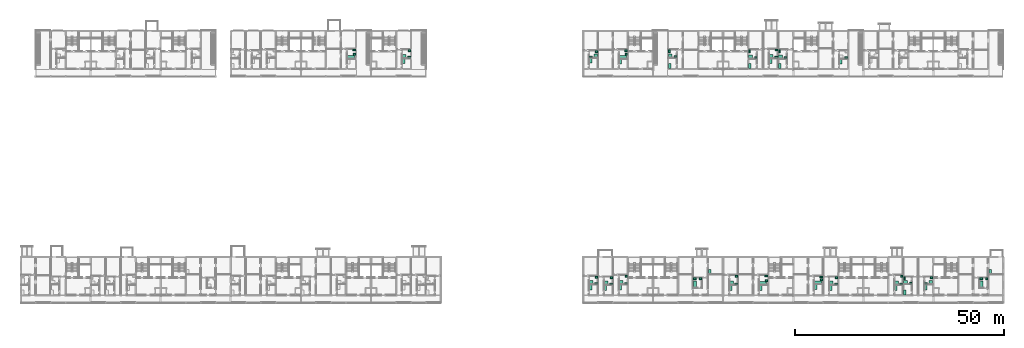
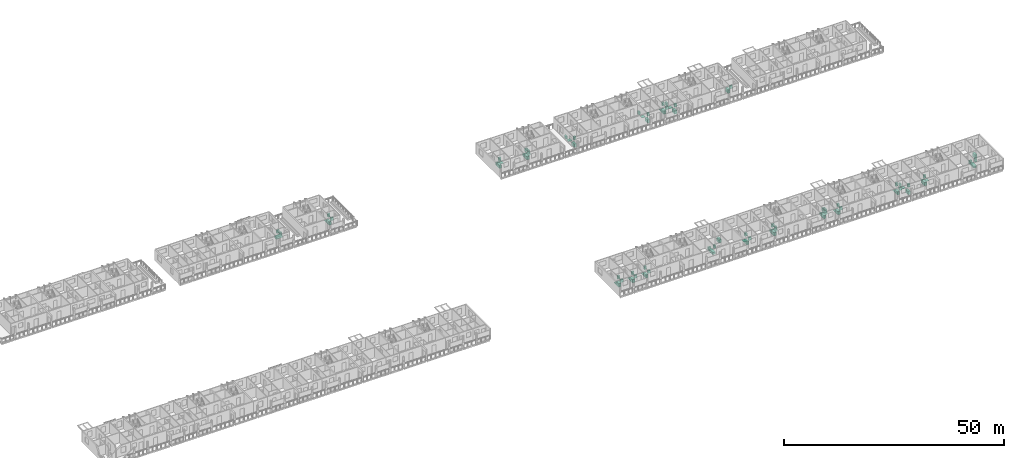
# One storey, part 93 of 94: 81 sanitary terminals.
"""IFC4 building model written with IfcOpenShell, lengths in metres."""

from ifc_helpers import new_model, si_unit, direction, frame, origin, origin_2d, place, context, subcontext, project, spatial, rectangle, extrude, element, save


model = new_model("IFC4")

# Units and contexts
model_context = context("Model", 3, precision=1e-05, world=origin(), true_north=direction((0.0, 1.0)))
body_context = subcontext(model_context, "Body", "Model", "MODEL_VIEW")
ifc_project = project(units=[si_unit("LENGTHUNIT", "METRE"), si_unit("AREAUNIT", "SQUARE_METRE"), si_unit("VOLUMEUNIT", "CUBIC_METRE"), si_unit("PLANEANGLEUNIT", "RADIAN"), si_unit("MASSUNIT", "GRAM", prefix="KILO")], contexts=[model_context])

# Site, building, storey
site_placement = place(None, origin())
site = spatial("IfcSite", under=ifc_project, at=site_placement, CompositionType="ELEMENT")
building_placement = place(site_placement, origin())
building = spatial("IfcBuilding", under=site, at=building_placement, Name="Ridgestep Commons", CompositionType="ELEMENT")
storey_placement = place(building_placement, frame((0.0, 0.0, 21.0)))
storey = spatial("IfcBuildingStorey", under=building, at=storey_placement, Name="L07", CompositionType="ELEMENT", Elevation=21.0)

# Sanitary terminals
sanitary_terminal_1_placement = place(storey_placement, frame((91.159912109375, 70.784912109375, 0.0), z_axis=(0.0, 0.0, 1.0), x_axis=(1.0, 0.0, 0.0)))
element("IfcSanitaryTerminal", 1, at=sanitary_terminal_1_placement, inside=storey, Name="Bath B5-07a", PredefinedType="BATH", context=body_context, shape_type="SweptSolid", body=[
    extrude(rectangle(XDim=1.699951171875, YDim=0.75, at=origin_2d()), origin(), (0.0, 0.0, 1.0), 0.550048828125),
])
sanitary_terminal_2_placement = place(storey_placement, frame((91.949951171875, 72.5, 0.0), z_axis=(0.0, 0.0, 1.0), x_axis=(1.0, 0.0, 0.0)))
element("IfcSanitaryTerminal", 2, at=sanitary_terminal_2_placement, inside=storey, Name="WC B5-07a", PredefinedType="TOILETPAN", context=body_context, shape_type="SweptSolid", body=[
    extrude(rectangle(XDim=0.699951171875, YDim=0.39990234375, at=origin_2d()), origin(), (0.0, 0.0, 1.0), 0.800048828125),
])
sanitary_terminal_3_placement = place(storey_placement, frame((92.02490234375, 71.43505859375, 0.0), z_axis=(0.0, 0.0, 1.0), x_axis=(1.0, 0.0, 0.0)))
element("IfcSanitaryTerminal", 3, at=sanitary_terminal_3_placement, inside=storey, Name="Basin B5-07a", PredefinedType="WASHHANDBASIN", context=body_context, shape_type="SweptSolid", body=[
    extrude(rectangle(XDim=0.550048828125, YDim=0.449951171875, at=origin_2d()), origin(), (0.0, 0.0, 1.0), 0.85009765625),
])
sanitary_terminal_4_placement = place(storey_placement, frame((103.985107421875, 70.9599609375, 0.0), z_axis=(0.0, 0.0, 1.0), x_axis=(1.0, 0.0, 0.0)))
element("IfcSanitaryTerminal", 4, at=sanitary_terminal_4_placement, inside=storey, Name="Shower tray B6-07a", PredefinedType="SHOWER", context=body_context, shape_type="SweptSolid", body=[
    extrude(rectangle(XDim=0.89990234375, YDim=0.89990234375, at=origin_2d()), origin(), (0.0, 0.0, 1.0), 0.10009765625),
])
sanitary_terminal_5_placement = place(storey_placement, frame((105.14990234375, 70.7099609375, 0.0), z_axis=(0.0, 0.0, 1.0), x_axis=(1.0, 0.0, 0.0)))
element("IfcSanitaryTerminal", 5, at=sanitary_terminal_5_placement, inside=storey, Name="WC B6-07a", PredefinedType="TOILETPAN", context=body_context, shape_type="SweptSolid", body=[
    extrude(rectangle(XDim=0.699951171875, YDim=0.39990234375, at=origin_2d()), origin(), (0.0, 0.0, 1.0), 0.800048828125),
])
sanitary_terminal_6_placement = place(storey_placement, frame((105.22509765625, 72.27490234375, 0.0), z_axis=(0.0, 0.0, 1.0), x_axis=(1.0, 0.0, 0.0)))
element("IfcSanitaryTerminal", 6, at=sanitary_terminal_6_placement, inside=storey, Name="Basin B6-07a", PredefinedType="WASHHANDBASIN", context=body_context, shape_type="SweptSolid", body=[
    extrude(rectangle(XDim=0.550048828125, YDim=0.449951171875, at=origin_2d()), origin(), (0.0, 0.0, 1.0), 0.85009765625),
])
sanitary_terminal_7_placement = place(storey_placement, frame((103.8349609375, 69.800048828125, 0.0), z_axis=(0.0, 0.0, 1.0), x_axis=(1.0, 0.0, 0.0)))
element("IfcSanitaryTerminal", 7, at=sanitary_terminal_7_placement, inside=storey, Name="Kitchen sink B6-07a", PredefinedType="SINK", context=body_context, shape_type="SweptSolid", body=[
    extrude(rectangle(XDim=0.60009765625, YDim=1.199951171875, at=origin_2d()), origin(), (0.0, 0.0, 1.0), 0.89990234375),
])
sanitary_terminal_8_placement = place(storey_placement, frame((149.85009765625, 71.06005859375, 0.0), z_axis=(0.0, 0.0, 1.0), x_axis=(1.0, 0.0, 0.0)))
element("IfcSanitaryTerminal", 8, at=sanitary_terminal_8_placement, inside=storey, Name="Shower tray C1-07a", PredefinedType="SHOWER", context=body_context, shape_type="SweptSolid", body=[
    extrude(rectangle(XDim=0.89990234375, YDim=0.89990234375, at=origin_2d()), origin(), (0.0, 0.0, 1.0), 0.10009765625),
])
sanitary_terminal_9_placement = place(storey_placement, frame((148.7099609375, 70.81005859375, 0.0), z_axis=(0.0, 0.0, 1.0), x_axis=(1.0, 0.0, 0.0)))
element("IfcSanitaryTerminal", 9, at=sanitary_terminal_9_placement, inside=storey, Name="WC C1-07a", PredefinedType="TOILETPAN", context=body_context, shape_type="SweptSolid", body=[
    extrude(rectangle(XDim=0.699951171875, YDim=0.39990234375, at=origin_2d()), origin(), (0.0, 0.0, 1.0), 0.800048828125),
])
sanitary_terminal_10_placement = place(storey_placement, frame((150.02490234375, 72.074951171875, 0.0), z_axis=(0.0, 0.0, 1.0), x_axis=(1.0, 0.0, 0.0)))
element("IfcSanitaryTerminal", 10, at=sanitary_terminal_10_placement, inside=storey, Name="Basin C1-07a", PredefinedType="WASHHANDBASIN", context=body_context, shape_type="SweptSolid", body=[
    extrude(rectangle(XDim=0.550048828125, YDim=0.449951171875, at=origin_2d()), origin(), (0.0, 0.0, 1.0), 0.85009765625),
])
sanitary_terminal_11_placement = place(storey_placement, frame((148.659912109375, 69.89990234375, 0.0), z_axis=(0.0, 0.0, 1.0), x_axis=(1.0, 0.0, 0.0)))
element("IfcSanitaryTerminal", 11, at=sanitary_terminal_11_placement, inside=storey, Name="Kitchen sink C1-07a", PredefinedType="SINK", context=body_context, shape_type="SweptSolid", body=[
    extrude(rectangle(XDim=0.60009765625, YDim=1.199951171875, at=origin_2d()), origin(), (0.0, 0.0, 1.0), 0.89990234375),
])
sanitary_terminal_12_placement = place(storey_placement, frame((156.360107421875, 70.784912109375, 0.0), z_axis=(0.0, 0.0, 1.0), x_axis=(1.0, 0.0, 0.0)))
element("IfcSanitaryTerminal", 12, at=sanitary_terminal_12_placement, inside=storey, Name="Bath C1-07b", PredefinedType="BATH", context=body_context, shape_type="SweptSolid", body=[
    extrude(rectangle(XDim=1.699951171875, YDim=0.75, at=origin_2d()), origin(), (0.0, 0.0, 1.0), 0.550048828125),
])
sanitary_terminal_13_placement = place(storey_placement, frame((157.125, 72.300048828125, 0.0), z_axis=(0.0, 0.0, 1.0), x_axis=(1.0, 0.0, 0.0)))
element("IfcSanitaryTerminal", 13, at=sanitary_terminal_13_placement, inside=storey, Name="WC C1-07b", PredefinedType="TOILETPAN", context=body_context, shape_type="SweptSolid", body=[
    extrude(rectangle(XDim=0.699951171875, YDim=0.39990234375, at=origin_2d()), origin(), (0.0, 0.0, 1.0), 0.800048828125),
])
sanitary_terminal_14_placement = place(storey_placement, frame((157.199951171875, 71.43505859375, 0.0), z_axis=(0.0, 0.0, 1.0), x_axis=(1.0, 0.0, 0.0)))
element("IfcSanitaryTerminal", 14, at=sanitary_terminal_14_placement, inside=storey, Name="Basin C1-07b", PredefinedType="WASHHANDBASIN", context=body_context, shape_type="SweptSolid", body=[
    extrude(rectangle(XDim=0.550048828125, YDim=0.449951171875, at=origin_2d()), origin(), (0.0, 0.0, 1.0), 0.85009765625),
])
sanitary_terminal_15_placement = place(storey_placement, frame((155.81005859375, 69.699951171875, 0.0), z_axis=(0.0, 0.0, 1.0), x_axis=(1.0, 0.0, 0.0)))
element("IfcSanitaryTerminal", 15, at=sanitary_terminal_15_placement, inside=storey, Name="Kitchen sink C1-07b", PredefinedType="SINK", context=body_context, shape_type="SweptSolid", body=[
    extrude(rectangle(XDim=0.60009765625, YDim=1.199951171875, at=origin_2d()), origin(), (0.0, 0.0, 1.0), 0.89990234375),
])
sanitary_terminal_16_placement = place(storey_placement, frame((167.75, 71.06005859375, 0.0), z_axis=(0.0, 0.0, 1.0), x_axis=(1.0, 0.0, 0.0)))
element("IfcSanitaryTerminal", 16, at=sanitary_terminal_16_placement, inside=storey, Name="Shower tray C2-07a", PredefinedType="SHOWER", context=body_context, shape_type="SweptSolid", body=[
    extrude(rectangle(XDim=0.89990234375, YDim=0.89990234375, at=origin_2d()), origin(), (0.0, 0.0, 1.0), 0.10009765625),
])
sanitary_terminal_17_placement = place(storey_placement, frame((167.5, 72.14990234375, 0.0), z_axis=(0.0, 0.0, 1.0), x_axis=(1.0, 0.0, 0.0)))
element("IfcSanitaryTerminal", 17, at=sanitary_terminal_17_placement, inside=storey, Name="WC C2-07a", PredefinedType="TOILETPAN", context=body_context, shape_type="SweptSolid", body=[
    extrude(rectangle(XDim=0.39990234375, YDim=0.699951171875, at=origin_2d()), origin(), (0.0, 0.0, 1.0), 0.800048828125),
])
sanitary_terminal_18_placement = place(storey_placement, frame((169.014892578125, 70.8349609375, 0.0), z_axis=(0.0, 0.0, 1.0), x_axis=(1.0, 0.0, 0.0)))
element("IfcSanitaryTerminal", 18, at=sanitary_terminal_18_placement, inside=storey, Name="Basin C2-07a", PredefinedType="WASHHANDBASIN", context=body_context, shape_type="SweptSolid", body=[
    extrude(rectangle(XDim=0.550048828125, YDim=0.449951171875, at=origin_2d()), origin(), (0.0, 0.0, 1.0), 0.85009765625),
])
sanitary_terminal_19_placement = place(storey_placement, frame((167.60009765625, 68.60009765625, 0.0), z_axis=(0.0, 0.0, 1.0), x_axis=(1.0, 0.0, 0.0)))
element("IfcSanitaryTerminal", 19, at=sanitary_terminal_19_placement, inside=storey, Name="Kitchen sink C2-07a", PredefinedType="SINK", context=body_context, shape_type="SweptSolid", body=[
    extrude(rectangle(XDim=0.60009765625, YDim=1.199951171875, at=origin_2d()), origin(), (0.0, 0.0, 1.0), 0.89990234375),
])
sanitary_terminal_20_placement = place(storey_placement, frame((194.14990234375, 70.860107421875, 0.0), z_axis=(0.0, 0.0, 1.0), x_axis=(1.0, 0.0, 0.0)))
element("IfcSanitaryTerminal", 20, at=sanitary_terminal_20_placement, inside=storey, Name="Shower tray C3-07a", PredefinedType="SHOWER", context=body_context, shape_type="SweptSolid", body=[
    extrude(rectangle(XDim=0.89990234375, YDim=0.89990234375, at=origin_2d()), origin(), (0.0, 0.0, 1.0), 0.10009765625),
])
sanitary_terminal_21_placement = place(storey_placement, frame((193.89990234375, 72.14990234375, 0.0), z_axis=(0.0, 0.0, 1.0), x_axis=(1.0, 0.0, 0.0)))
element("IfcSanitaryTerminal", 21, at=sanitary_terminal_21_placement, inside=storey, Name="WC C3-07a", PredefinedType="TOILETPAN", context=body_context, shape_type="SweptSolid", body=[
    extrude(rectangle(XDim=0.39990234375, YDim=0.699951171875, at=origin_2d()), origin(), (0.0, 0.0, 1.0), 0.800048828125),
])
sanitary_terminal_22_placement = place(storey_placement, frame((195.364990234375, 70.635009765625, 0.0), z_axis=(0.0, 0.0, 1.0), x_axis=(1.0, 0.0, 0.0)))
element("IfcSanitaryTerminal", 22, at=sanitary_terminal_22_placement, inside=storey, Name="Basin C3-07a", PredefinedType="WASHHANDBASIN", context=body_context, shape_type="SweptSolid", body=[
    extrude(rectangle(XDim=0.550048828125, YDim=0.449951171875, at=origin_2d()), origin(), (0.0, 0.0, 1.0), 0.85009765625),
])
sanitary_terminal_23_placement = place(storey_placement, frame((194.0, 68.60009765625, 0.0), z_axis=(0.0, 0.0, 1.0), x_axis=(1.0, 0.0, 0.0)))
element("IfcSanitaryTerminal", 23, at=sanitary_terminal_23_placement, inside=storey, Name="Kitchen sink C3-07a", PredefinedType="SINK", context=body_context, shape_type="SweptSolid", body=[
    extrude(rectangle(XDim=0.60009765625, YDim=1.199951171875, at=origin_2d()), origin(), (0.0, 0.0, 1.0), 0.89990234375),
])
sanitary_terminal_24_placement = place(storey_placement, frame((191.9599609375, 70.9599609375, 0.0), z_axis=(0.0, 0.0, 1.0), x_axis=(1.0, 0.0, 0.0)))
element("IfcSanitaryTerminal", 24, at=sanitary_terminal_24_placement, inside=storey, Name="Shower tray C3-07b", PredefinedType="SHOWER", context=body_context, shape_type="SweptSolid", body=[
    extrude(rectangle(XDim=0.89990234375, YDim=0.89990234375, at=origin_2d()), origin(), (0.0, 0.0, 1.0), 0.10009765625),
])
sanitary_terminal_25_placement = place(storey_placement, frame((193.14990234375, 70.7099609375, 0.0), z_axis=(0.0, 0.0, 1.0), x_axis=(1.0, 0.0, 0.0)))
element("IfcSanitaryTerminal", 25, at=sanitary_terminal_25_placement, inside=storey, Name="WC C3-07b", PredefinedType="TOILETPAN", context=body_context, shape_type="SweptSolid", body=[
    extrude(rectangle(XDim=0.699951171875, YDim=0.39990234375, at=origin_2d()), origin(), (0.0, 0.0, 1.0), 0.800048828125),
])
sanitary_terminal_26_placement = place(storey_placement, frame((193.22509765625, 72.47509765625, 0.0), z_axis=(0.0, 0.0, 1.0), x_axis=(1.0, 0.0, 0.0)))
element("IfcSanitaryTerminal", 26, at=sanitary_terminal_26_placement, inside=storey, Name="Basin C3-07b", PredefinedType="WASHHANDBASIN", context=body_context, shape_type="SweptSolid", body=[
    extrude(rectangle(XDim=0.550048828125, YDim=0.449951171875, at=origin_2d()), origin(), (0.0, 0.0, 1.0), 0.85009765625),
])
sanitary_terminal_27_placement = place(storey_placement, frame((191.81005859375, 69.800048828125, 0.0), z_axis=(0.0, 0.0, 1.0), x_axis=(1.0, 0.0, 0.0)))
element("IfcSanitaryTerminal", 27, at=sanitary_terminal_27_placement, inside=storey, Name="Kitchen sink C3-07b", PredefinedType="SINK", context=body_context, shape_type="SweptSolid", body=[
    extrude(rectangle(XDim=0.60009765625, YDim=1.199951171875, at=origin_2d()), origin(), (0.0, 0.0, 1.0), 0.89990234375),
])
sanitary_terminal_28_placement = place(storey_placement, frame((186.97509765625, 70.860107421875, 0.0), z_axis=(0.0, 0.0, 1.0), x_axis=(1.0, 0.0, 0.0)))
element("IfcSanitaryTerminal", 28, at=sanitary_terminal_28_placement, inside=storey, Name="Shower tray C3-07c", PredefinedType="SHOWER", context=body_context, shape_type="SweptSolid", body=[
    extrude(rectangle(XDim=0.89990234375, YDim=0.89990234375, at=origin_2d()), origin(), (0.0, 0.0, 1.0), 0.10009765625),
])
sanitary_terminal_29_placement = place(storey_placement, frame((186.72509765625, 72.14990234375, 0.0), z_axis=(0.0, 0.0, 1.0), x_axis=(1.0, 0.0, 0.0)))
element("IfcSanitaryTerminal", 29, at=sanitary_terminal_29_placement, inside=storey, Name="WC C3-07c", PredefinedType="TOILETPAN", context=body_context, shape_type="SweptSolid", body=[
    extrude(rectangle(XDim=0.39990234375, YDim=0.699951171875, at=origin_2d()), origin(), (0.0, 0.0, 1.0), 0.800048828125),
])
sanitary_terminal_30_placement = place(storey_placement, frame((188.215087890625, 70.635009765625, 0.0), z_axis=(0.0, 0.0, 1.0), x_axis=(1.0, 0.0, 0.0)))
element("IfcSanitaryTerminal", 30, at=sanitary_terminal_30_placement, inside=storey, Name="Basin C3-07c", PredefinedType="WASHHANDBASIN", context=body_context, shape_type="SweptSolid", body=[
    extrude(rectangle(XDim=0.550048828125, YDim=0.449951171875, at=origin_2d()), origin(), (0.0, 0.0, 1.0), 0.85009765625),
])
sanitary_terminal_31_placement = place(storey_placement, frame((186.824951171875, 68.60009765625, 0.0), z_axis=(0.0, 0.0, 1.0), x_axis=(1.0, 0.0, 0.0)))
element("IfcSanitaryTerminal", 31, at=sanitary_terminal_31_placement, inside=storey, Name="Kitchen sink C3-07c", PredefinedType="SINK", context=body_context, shape_type="SweptSolid", body=[
    extrude(rectangle(XDim=0.60009765625, YDim=1.199951171875, at=origin_2d()), origin(), (0.0, 0.0, 1.0), 0.89990234375),
])
sanitary_terminal_32_placement = place(storey_placement, frame((209.949951171875, 70.610107421875, 0.0), z_axis=(0.0, 0.0, 1.0), x_axis=(1.0, 0.0, 0.0)))
element("IfcSanitaryTerminal", 32, at=sanitary_terminal_32_placement, inside=storey, Name="WC C4-07a", PredefinedType="TOILETPAN", context=body_context, shape_type="SweptSolid", body=[
    extrude(rectangle(XDim=0.699951171875, YDim=0.39990234375, at=origin_2d()), origin(), (0.0, 0.0, 1.0), 0.800048828125),
])
sanitary_terminal_33_placement = place(storey_placement, frame((208.610107421875, 69.699951171875, 0.0), z_axis=(0.0, 0.0, 1.0), x_axis=(1.0, 0.0, 0.0)))
element("IfcSanitaryTerminal", 33, at=sanitary_terminal_33_placement, inside=storey, Name="Kitchen sink C4-07a", PredefinedType="SINK", context=body_context, shape_type="SweptSolid", body=[
    extrude(rectangle(XDim=0.60009765625, YDim=1.199951171875, at=origin_2d()), origin(), (0.0, 0.0, 1.0), 0.89990234375),
])
sanitary_terminal_34_placement = place(storey_placement, frame((148.81005859375, 16.7099609375, 0.0), z_axis=(0.0, 0.0, 1.0), x_axis=(1.0, 0.0, 0.0)))
element("IfcSanitaryTerminal", 34, at=sanitary_terminal_34_placement, inside=storey, Name="Shower tray D1-07a", PredefinedType="SHOWER", context=body_context, shape_type="SweptSolid", body=[
    extrude(rectangle(XDim=0.89990234375, YDim=0.89990234375, at=origin_2d()), origin(), (0.0, 0.0, 1.0), 0.10009765625),
])
sanitary_terminal_35_placement = place(storey_placement, frame((149.949951171875, 16.4599609375, 0.0), z_axis=(0.0, 0.0, 1.0), x_axis=(1.0, 0.0, 0.0)))
element("IfcSanitaryTerminal", 35, at=sanitary_terminal_35_placement, inside=storey, Name="WC D1-07a", PredefinedType="TOILETPAN", context=body_context, shape_type="SweptSolid", body=[
    extrude(rectangle(XDim=0.699951171875, YDim=0.39990234375, at=origin_2d()), origin(), (0.0, 0.0, 1.0), 0.800048828125),
])
sanitary_terminal_36_placement = place(storey_placement, frame((150.02490234375, 18.02490234375, 0.0), z_axis=(0.0, 0.0, 1.0), x_axis=(1.0, 0.0, 0.0)))
element("IfcSanitaryTerminal", 36, at=sanitary_terminal_36_placement, inside=storey, Name="Basin D1-07a", PredefinedType="WASHHANDBASIN", context=body_context, shape_type="SweptSolid", body=[
    extrude(rectangle(XDim=0.550048828125, YDim=0.449951171875, at=origin_2d()), origin(), (0.0, 0.0, 1.0), 0.85009765625),
])
sanitary_terminal_37_placement = place(storey_placement, frame((148.659912109375, 15.550048828125, 0.0), z_axis=(0.0, 0.0, 1.0), x_axis=(1.0, 0.0, 0.0)))
element("IfcSanitaryTerminal", 37, at=sanitary_terminal_37_placement, inside=storey, Name="Kitchen sink D1-07a", PredefinedType="SINK", context=body_context, shape_type="SweptSolid", body=[
    extrude(rectangle(XDim=0.60009765625, YDim=1.199951171875, at=origin_2d()), origin(), (0.0, 0.0, 1.0), 0.89990234375),
])
sanitary_terminal_38_placement = place(storey_placement, frame((152.360107421875, 16.610107421875, 0.0), z_axis=(0.0, 0.0, 1.0), x_axis=(1.0, 0.0, 0.0)))
element("IfcSanitaryTerminal", 38, at=sanitary_terminal_38_placement, inside=storey, Name="Shower tray D1-07b", PredefinedType="SHOWER", context=body_context, shape_type="SweptSolid", body=[
    extrude(rectangle(XDim=0.89990234375, YDim=0.89990234375, at=origin_2d()), origin(), (0.0, 0.0, 1.0), 0.10009765625),
])
sanitary_terminal_39_placement = place(storey_placement, frame((153.550048828125, 16.360107421875, 0.0), z_axis=(0.0, 0.0, 1.0), x_axis=(1.0, 0.0, 0.0)))
element("IfcSanitaryTerminal", 39, at=sanitary_terminal_39_placement, inside=storey, Name="WC D1-07b", PredefinedType="TOILETPAN", context=body_context, shape_type="SweptSolid", body=[
    extrude(rectangle(XDim=0.699951171875, YDim=0.39990234375, at=origin_2d()), origin(), (0.0, 0.0, 1.0), 0.800048828125),
])
sanitary_terminal_40_placement = place(storey_placement, frame((153.625, 17.824951171875, 0.0), z_axis=(0.0, 0.0, 1.0), x_axis=(1.0, 0.0, 0.0)))
element("IfcSanitaryTerminal", 40, at=sanitary_terminal_40_placement, inside=storey, Name="Basin D1-07b", PredefinedType="WASHHANDBASIN", context=body_context, shape_type="SweptSolid", body=[
    extrude(rectangle(XDim=0.550048828125, YDim=0.449951171875, at=origin_2d()), origin(), (0.0, 0.0, 1.0), 0.85009765625),
])
sanitary_terminal_41_placement = place(storey_placement, frame((152.2099609375, 15.449951171875, 0.0), z_axis=(0.0, 0.0, 1.0), x_axis=(1.0, 0.0, 0.0)))
element("IfcSanitaryTerminal", 41, at=sanitary_terminal_41_placement, inside=storey, Name="Kitchen sink D1-07b", PredefinedType="SINK", context=body_context, shape_type="SweptSolid", body=[
    extrude(rectangle(XDim=0.60009765625, YDim=1.199951171875, at=origin_2d()), origin(), (0.0, 0.0, 1.0), 0.89990234375),
])
sanitary_terminal_42_placement = place(storey_placement, frame((155.9599609375, 16.7099609375, 0.0), z_axis=(0.0, 0.0, 1.0), x_axis=(1.0, 0.0, 0.0)))
element("IfcSanitaryTerminal", 42, at=sanitary_terminal_42_placement, inside=storey, Name="Shower tray D1-07c", PredefinedType="SHOWER", context=body_context, shape_type="SweptSolid", body=[
    extrude(rectangle(XDim=0.89990234375, YDim=0.89990234375, at=origin_2d()), origin(), (0.0, 0.0, 1.0), 0.10009765625),
])
sanitary_terminal_43_placement = place(storey_placement, frame((157.125, 16.4599609375, 0.0), z_axis=(0.0, 0.0, 1.0), x_axis=(1.0, 0.0, 0.0)))
element("IfcSanitaryTerminal", 43, at=sanitary_terminal_43_placement, inside=storey, Name="WC D1-07c", PredefinedType="TOILETPAN", context=body_context, shape_type="SweptSolid", body=[
    extrude(rectangle(XDim=0.699951171875, YDim=0.39990234375, at=origin_2d()), origin(), (0.0, 0.0, 1.0), 0.800048828125),
])
sanitary_terminal_44_placement = place(storey_placement, frame((157.199951171875, 18.22509765625, 0.0), z_axis=(0.0, 0.0, 1.0), x_axis=(1.0, 0.0, 0.0)))
element("IfcSanitaryTerminal", 44, at=sanitary_terminal_44_placement, inside=storey, Name="Basin D1-07c", PredefinedType="WASHHANDBASIN", context=body_context, shape_type="SweptSolid", body=[
    extrude(rectangle(XDim=0.550048828125, YDim=0.449951171875, at=origin_2d()), origin(), (0.0, 0.0, 1.0), 0.85009765625),
])
sanitary_terminal_45_placement = place(storey_placement, frame((155.81005859375, 15.550048828125, 0.0), z_axis=(0.0, 0.0, 1.0), x_axis=(1.0, 0.0, 0.0)))
element("IfcSanitaryTerminal", 45, at=sanitary_terminal_45_placement, inside=storey, Name="Kitchen sink D1-07c", PredefinedType="SINK", context=body_context, shape_type="SweptSolid", body=[
    extrude(rectangle(XDim=0.60009765625, YDim=1.199951171875, at=origin_2d()), origin(), (0.0, 0.0, 1.0), 0.89990234375),
])
sanitary_terminal_46_placement = place(storey_placement, frame((173.675048828125, 16.260009765625, 0.0), z_axis=(0.0, 0.0, 1.0), x_axis=(1.0, 0.0, 0.0)))
element("IfcSanitaryTerminal", 46, at=sanitary_terminal_46_placement, inside=storey, Name="Bath D2-07a", PredefinedType="BATH", context=body_context, shape_type="SweptSolid", body=[
    extrude(rectangle(XDim=0.75, YDim=1.699951171875, at=origin_2d()), origin(), (0.0, 0.0, 1.0), 0.550048828125),
])
sanitary_terminal_47_placement = place(storey_placement, frame((173.64990234375, 17.610107421875, 0.0), z_axis=(0.0, 0.0, 1.0), x_axis=(1.0, 0.0, 0.0)))
element("IfcSanitaryTerminal", 47, at=sanitary_terminal_47_placement, inside=storey, Name="WC D2-07a", PredefinedType="TOILETPAN", context=body_context, shape_type="SweptSolid", body=[
    extrude(rectangle(XDim=0.699951171875, YDim=0.39990234375, at=origin_2d()), origin(), (0.0, 0.0, 1.0), 0.800048828125),
])
sanitary_terminal_48_placement = place(storey_placement, frame((175.014892578125, 17.5849609375, 0.0), z_axis=(0.0, 0.0, 1.0), x_axis=(1.0, 0.0, 0.0)))
element("IfcSanitaryTerminal", 48, at=sanitary_terminal_48_placement, inside=storey, Name="Basin D2-07a", PredefinedType="WASHHANDBASIN", context=body_context, shape_type="SweptSolid", body=[
    extrude(rectangle(XDim=0.550048828125, YDim=0.449951171875, at=origin_2d()), origin(), (0.0, 0.0, 1.0), 0.85009765625),
])
sanitary_terminal_49_placement = place(storey_placement, frame((177.199951171875, 19.260009765625, 0.0), z_axis=(0.0, 0.0, 1.0), x_axis=(1.0, 0.0, 0.0)))
element("IfcSanitaryTerminal", 49, at=sanitary_terminal_49_placement, inside=storey, Name="Kitchen sink D2-07a", PredefinedType="SINK", context=body_context, shape_type="SweptSolid", body=[
    extrude(rectangle(XDim=0.60009765625, YDim=1.199951171875, at=origin_2d()), origin(), (0.0, 0.0, 1.0), 0.89990234375),
])
sanitary_terminal_50_placement = place(storey_placement, frame((182.409912109375, 16.610107421875, 0.0), z_axis=(0.0, 0.0, 1.0), x_axis=(1.0, 0.0, 0.0)))
element("IfcSanitaryTerminal", 50, at=sanitary_terminal_50_placement, inside=storey, Name="Shower tray D3-07a", PredefinedType="SHOWER", context=body_context, shape_type="SweptSolid", body=[
    extrude(rectangle(XDim=0.89990234375, YDim=0.89990234375, at=origin_2d()), origin(), (0.0, 0.0, 1.0), 0.10009765625),
])
sanitary_terminal_51_placement = place(storey_placement, frame((183.550048828125, 16.360107421875, 0.0), z_axis=(0.0, 0.0, 1.0), x_axis=(1.0, 0.0, 0.0)))
element("IfcSanitaryTerminal", 51, at=sanitary_terminal_51_placement, inside=storey, Name="WC D3-07a", PredefinedType="TOILETPAN", context=body_context, shape_type="SweptSolid", body=[
    extrude(rectangle(XDim=0.699951171875, YDim=0.39990234375, at=origin_2d()), origin(), (0.0, 0.0, 1.0), 0.800048828125),
])
sanitary_terminal_52_placement = place(storey_placement, frame((183.625, 18.22509765625, 0.0), z_axis=(0.0, 0.0, 1.0), x_axis=(1.0, 0.0, 0.0)))
element("IfcSanitaryTerminal", 52, at=sanitary_terminal_52_placement, inside=storey, Name="Basin D3-07a", PredefinedType="WASHHANDBASIN", context=body_context, shape_type="SweptSolid", body=[
    extrude(rectangle(XDim=0.550048828125, YDim=0.449951171875, at=origin_2d()), origin(), (0.0, 0.0, 1.0), 0.85009765625),
])
sanitary_terminal_53_placement = place(storey_placement, frame((182.260009765625, 15.449951171875, 0.0), z_axis=(0.0, 0.0, 1.0), x_axis=(1.0, 0.0, 0.0)))
element("IfcSanitaryTerminal", 53, at=sanitary_terminal_53_placement, inside=storey, Name="Kitchen sink D3-07a", PredefinedType="SINK", context=body_context, shape_type="SweptSolid", body=[
    extrude(rectangle(XDim=0.60009765625, YDim=1.199951171875, at=origin_2d()), origin(), (0.0, 0.0, 1.0), 0.89990234375),
])
sanitary_terminal_54_placement = place(storey_placement, frame((189.9599609375, 16.534912109375, 0.0), z_axis=(0.0, 0.0, 1.0), x_axis=(1.0, 0.0, 0.0)))
element("IfcSanitaryTerminal", 54, at=sanitary_terminal_54_placement, inside=storey, Name="Bath D3-07b", PredefinedType="BATH", context=body_context, shape_type="SweptSolid", body=[
    extrude(rectangle(XDim=1.699951171875, YDim=0.75, at=origin_2d()), origin(), (0.0, 0.0, 1.0), 0.550048828125),
])
sanitary_terminal_55_placement = place(storey_placement, frame((190.72509765625, 18.25, 0.0), z_axis=(0.0, 0.0, 1.0), x_axis=(1.0, 0.0, 0.0)))
element("IfcSanitaryTerminal", 55, at=sanitary_terminal_55_placement, inside=storey, Name="WC D3-07b", PredefinedType="TOILETPAN", context=body_context, shape_type="SweptSolid", body=[
    extrude(rectangle(XDim=0.699951171875, YDim=0.39990234375, at=origin_2d()), origin(), (0.0, 0.0, 1.0), 0.800048828125),
])
sanitary_terminal_56_placement = place(storey_placement, frame((190.800048828125, 17.18505859375, 0.0), z_axis=(0.0, 0.0, 1.0), x_axis=(1.0, 0.0, 0.0)))
element("IfcSanitaryTerminal", 56, at=sanitary_terminal_56_placement, inside=storey, Name="Basin D3-07b", PredefinedType="WASHHANDBASIN", context=body_context, shape_type="SweptSolid", body=[
    extrude(rectangle(XDim=0.550048828125, YDim=0.449951171875, at=origin_2d()), origin(), (0.0, 0.0, 1.0), 0.85009765625),
])
sanitary_terminal_57_placement = place(storey_placement, frame((189.409912109375, 15.449951171875, 0.0), z_axis=(0.0, 0.0, 1.0), x_axis=(1.0, 0.0, 0.0)))
element("IfcSanitaryTerminal", 57, at=sanitary_terminal_57_placement, inside=storey, Name="Kitchen sink D3-07b", PredefinedType="SINK", context=body_context, shape_type="SweptSolid", body=[
    extrude(rectangle(XDim=0.60009765625, YDim=1.199951171875, at=origin_2d()), origin(), (0.0, 0.0, 1.0), 0.89990234375),
])
sanitary_terminal_58_placement = place(storey_placement, frame((203.159912109375, 16.735107421875, 0.0), z_axis=(0.0, 0.0, 1.0), x_axis=(1.0, 0.0, 0.0)))
element("IfcSanitaryTerminal", 58, at=sanitary_terminal_58_placement, inside=storey, Name="Bath D4-07a", PredefinedType="BATH", context=body_context, shape_type="SweptSolid", body=[
    extrude(rectangle(XDim=1.699951171875, YDim=0.75, at=origin_2d()), origin(), (0.0, 0.0, 1.0), 0.550048828125),
])
sanitary_terminal_59_placement = place(storey_placement, frame((203.949951171875, 18.050048828125, 0.0), z_axis=(0.0, 0.0, 1.0), x_axis=(1.0, 0.0, 0.0)))
element("IfcSanitaryTerminal", 59, at=sanitary_terminal_59_placement, inside=storey, Name="WC D4-07a", PredefinedType="TOILETPAN", context=body_context, shape_type="SweptSolid", body=[
    extrude(rectangle(XDim=0.699951171875, YDim=0.39990234375, at=origin_2d()), origin(), (0.0, 0.0, 1.0), 0.800048828125),
])
sanitary_terminal_60_placement = place(storey_placement, frame((204.02490234375, 17.385009765625, 0.0), z_axis=(0.0, 0.0, 1.0), x_axis=(1.0, 0.0, 0.0)))
element("IfcSanitaryTerminal", 60, at=sanitary_terminal_60_placement, inside=storey, Name="Basin D4-07a", PredefinedType="WASHHANDBASIN", context=body_context, shape_type="SweptSolid", body=[
    extrude(rectangle(XDim=0.550048828125, YDim=0.449951171875, at=origin_2d()), origin(), (0.0, 0.0, 1.0), 0.85009765625),
])
sanitary_terminal_61_placement = place(storey_placement, frame((202.610107421875, 15.64990234375, 0.0), z_axis=(0.0, 0.0, 1.0), x_axis=(1.0, 0.0, 0.0)))
element("IfcSanitaryTerminal", 61, at=sanitary_terminal_61_placement, inside=storey, Name="Kitchen sink D4-07a", PredefinedType="SINK", context=body_context, shape_type="SweptSolid", body=[
    extrude(rectangle(XDim=0.60009765625, YDim=1.199951171875, at=origin_2d()), origin(), (0.0, 0.0, 1.0), 0.89990234375),
])
sanitary_terminal_62_placement = place(storey_placement, frame((206.360107421875, 16.610107421875, 0.0), z_axis=(0.0, 0.0, 1.0), x_axis=(1.0, 0.0, 0.0)))
element("IfcSanitaryTerminal", 62, at=sanitary_terminal_62_placement, inside=storey, Name="Shower tray D4-07b", PredefinedType="SHOWER", context=body_context, shape_type="SweptSolid", body=[
    extrude(rectangle(XDim=0.89990234375, YDim=0.89990234375, at=origin_2d()), origin(), (0.0, 0.0, 1.0), 0.10009765625),
])
sanitary_terminal_63_placement = place(storey_placement, frame((207.52490234375, 16.360107421875, 0.0), z_axis=(0.0, 0.0, 1.0), x_axis=(1.0, 0.0, 0.0)))
element("IfcSanitaryTerminal", 63, at=sanitary_terminal_63_placement, inside=storey, Name="WC D4-07b", PredefinedType="TOILETPAN", context=body_context, shape_type="SweptSolid", body=[
    extrude(rectangle(XDim=0.699951171875, YDim=0.39990234375, at=origin_2d()), origin(), (0.0, 0.0, 1.0), 0.800048828125),
])
sanitary_terminal_64_placement = place(storey_placement, frame((207.60009765625, 17.824951171875, 0.0), z_axis=(0.0, 0.0, 1.0), x_axis=(1.0, 0.0, 0.0)))
element("IfcSanitaryTerminal", 64, at=sanitary_terminal_64_placement, inside=storey, Name="Basin D4-07b", PredefinedType="WASHHANDBASIN", context=body_context, shape_type="SweptSolid", body=[
    extrude(rectangle(XDim=0.550048828125, YDim=0.449951171875, at=origin_2d()), origin(), (0.0, 0.0, 1.0), 0.85009765625),
])
sanitary_terminal_65_placement = place(storey_placement, frame((206.2099609375, 15.449951171875, 0.0), z_axis=(0.0, 0.0, 1.0), x_axis=(1.0, 0.0, 0.0)))
element("IfcSanitaryTerminal", 65, at=sanitary_terminal_65_placement, inside=storey, Name="Kitchen sink D4-07b", PredefinedType="SINK", context=body_context, shape_type="SweptSolid", body=[
    extrude(rectangle(XDim=0.60009765625, YDim=1.199951171875, at=origin_2d()), origin(), (0.0, 0.0, 1.0), 0.89990234375),
])
sanitary_terminal_66_placement = place(storey_placement, frame((230.199951171875, 16.7099609375, 0.0), z_axis=(0.0, 0.0, 1.0), x_axis=(1.0, 0.0, 0.0)))
element("IfcSanitaryTerminal", 66, at=sanitary_terminal_66_placement, inside=storey, Name="Shower tray D5-07a", PredefinedType="SHOWER", context=body_context, shape_type="SweptSolid", body=[
    extrude(rectangle(XDim=0.89990234375, YDim=0.89990234375, at=origin_2d()), origin(), (0.0, 0.0, 1.0), 0.10009765625),
])
sanitary_terminal_67_placement = place(storey_placement, frame((229.06005859375, 16.4599609375, 0.0), z_axis=(0.0, 0.0, 1.0), x_axis=(1.0, 0.0, 0.0)))
element("IfcSanitaryTerminal", 67, at=sanitary_terminal_67_placement, inside=storey, Name="WC D5-07a", PredefinedType="TOILETPAN", context=body_context, shape_type="SweptSolid", body=[
    extrude(rectangle(XDim=0.699951171875, YDim=0.39990234375, at=origin_2d()), origin(), (0.0, 0.0, 1.0), 0.800048828125),
])
sanitary_terminal_68_placement = place(storey_placement, frame((230.375, 17.824951171875, 0.0), z_axis=(0.0, 0.0, 1.0), x_axis=(1.0, 0.0, 0.0)))
element("IfcSanitaryTerminal", 68, at=sanitary_terminal_68_placement, inside=storey, Name="Basin D5-07a", PredefinedType="WASHHANDBASIN", context=body_context, shape_type="SweptSolid", body=[
    extrude(rectangle(XDim=0.550048828125, YDim=0.449951171875, at=origin_2d()), origin(), (0.0, 0.0, 1.0), 0.85009765625),
])
sanitary_terminal_69_placement = place(storey_placement, frame((229.010009765625, 15.550048828125, 0.0), z_axis=(0.0, 0.0, 1.0), x_axis=(1.0, 0.0, 0.0)))
element("IfcSanitaryTerminal", 69, at=sanitary_terminal_69_placement, inside=storey, Name="Kitchen sink D5-07a", PredefinedType="SINK", context=body_context, shape_type="SweptSolid", body=[
    extrude(rectangle(XDim=0.60009765625, YDim=1.199951171875, at=origin_2d()), origin(), (0.0, 0.0, 1.0), 0.89990234375),
])
sanitary_terminal_70_placement = place(storey_placement, frame((224.14990234375, 16.81005859375, 0.0), z_axis=(0.0, 0.0, 1.0), x_axis=(1.0, 0.0, 0.0)))
element("IfcSanitaryTerminal", 70, at=sanitary_terminal_70_placement, inside=storey, Name="Shower tray D5-07b", PredefinedType="SHOWER", context=body_context, shape_type="SweptSolid", body=[
    extrude(rectangle(XDim=0.89990234375, YDim=0.89990234375, at=origin_2d()), origin(), (0.0, 0.0, 1.0), 0.10009765625),
])
sanitary_terminal_71_placement = place(storey_placement, frame((223.89990234375, 17.699951171875, 0.0), z_axis=(0.0, 0.0, 1.0), x_axis=(1.0, 0.0, 0.0)))
element("IfcSanitaryTerminal", 71, at=sanitary_terminal_71_placement, inside=storey, Name="WC D5-07b", PredefinedType="TOILETPAN", context=body_context, shape_type="SweptSolid", body=[
    extrude(rectangle(XDim=0.39990234375, YDim=0.699951171875, at=origin_2d()), origin(), (0.0, 0.0, 1.0), 0.800048828125),
])
sanitary_terminal_72_placement = place(storey_placement, frame((225.4150390625, 16.5849609375, 0.0), z_axis=(0.0, 0.0, 1.0), x_axis=(1.0, 0.0, 0.0)))
element("IfcSanitaryTerminal", 72, at=sanitary_terminal_72_placement, inside=storey, Name="Basin D5-07b", PredefinedType="WASHHANDBASIN", context=body_context, shape_type="SweptSolid", body=[
    extrude(rectangle(XDim=0.550048828125, YDim=0.449951171875, at=origin_2d()), origin(), (0.0, 0.0, 1.0), 0.85009765625),
])
sanitary_terminal_73_placement = place(storey_placement, frame((224.0, 14.35009765625, 0.0), z_axis=(0.0, 0.0, 1.0), x_axis=(1.0, 0.0, 0.0)))
element("IfcSanitaryTerminal", 73, at=sanitary_terminal_73_placement, inside=storey, Name="Kitchen sink D5-07b", PredefinedType="SINK", context=body_context, shape_type="SweptSolid", body=[
    extrude(rectangle(XDim=0.60009765625, YDim=1.199951171875, at=origin_2d()), origin(), (0.0, 0.0, 1.0), 0.89990234375),
])
sanitary_terminal_74_placement = place(storey_placement, frame((221.985107421875, 16.610107421875, 0.0), z_axis=(0.0, 0.0, 1.0), x_axis=(1.0, 0.0, 0.0)))
element("IfcSanitaryTerminal", 74, at=sanitary_terminal_74_placement, inside=storey, Name="Shower tray D5-07c", PredefinedType="SHOWER", context=body_context, shape_type="SweptSolid", body=[
    extrude(rectangle(XDim=0.89990234375, YDim=0.89990234375, at=origin_2d()), origin(), (0.0, 0.0, 1.0), 0.10009765625),
])
sanitary_terminal_75_placement = place(storey_placement, frame((223.14990234375, 16.360107421875, 0.0), z_axis=(0.0, 0.0, 1.0), x_axis=(1.0, 0.0, 0.0)))
element("IfcSanitaryTerminal", 75, at=sanitary_terminal_75_placement, inside=storey, Name="WC D5-07c", PredefinedType="TOILETPAN", context=body_context, shape_type="SweptSolid", body=[
    extrude(rectangle(XDim=0.699951171875, YDim=0.39990234375, at=origin_2d()), origin(), (0.0, 0.0, 1.0), 0.800048828125),
])
sanitary_terminal_76_placement = place(storey_placement, frame((223.22509765625, 18.22509765625, 0.0), z_axis=(0.0, 0.0, 1.0), x_axis=(1.0, 0.0, 0.0)))
element("IfcSanitaryTerminal", 76, at=sanitary_terminal_76_placement, inside=storey, Name="Basin D5-07c", PredefinedType="WASHHANDBASIN", context=body_context, shape_type="SweptSolid", body=[
    extrude(rectangle(XDim=0.550048828125, YDim=0.449951171875, at=origin_2d()), origin(), (0.0, 0.0, 1.0), 0.85009765625),
])
sanitary_terminal_77_placement = place(storey_placement, frame((221.8349609375, 15.449951171875, 0.0), z_axis=(0.0, 0.0, 1.0), x_axis=(1.0, 0.0, 0.0)))
element("IfcSanitaryTerminal", 77, at=sanitary_terminal_77_placement, inside=storey, Name="Kitchen sink D5-07c", PredefinedType="SINK", context=body_context, shape_type="SweptSolid", body=[
    extrude(rectangle(XDim=0.60009765625, YDim=1.199951171875, at=origin_2d()), origin(), (0.0, 0.0, 1.0), 0.89990234375),
])
sanitary_terminal_78_placement = place(storey_placement, frame((242.284912109375, 16.260009765625, 0.0), z_axis=(0.0, 0.0, 1.0), x_axis=(1.0, 0.0, 0.0)))
element("IfcSanitaryTerminal", 78, at=sanitary_terminal_78_placement, inside=storey, Name="Bath D6-07a", PredefinedType="BATH", context=body_context, shape_type="SweptSolid", body=[
    extrude(rectangle(XDim=0.75, YDim=1.699951171875, at=origin_2d()), origin(), (0.0, 0.0, 1.0), 0.550048828125),
])
sanitary_terminal_79_placement = place(storey_placement, frame((242.260009765625, 17.610107421875, 0.0), z_axis=(0.0, 0.0, 1.0), x_axis=(1.0, 0.0, 0.0)))
element("IfcSanitaryTerminal", 79, at=sanitary_terminal_79_placement, inside=storey, Name="WC D6-07a", PredefinedType="TOILETPAN", context=body_context, shape_type="SweptSolid", body=[
    extrude(rectangle(XDim=0.699951171875, YDim=0.39990234375, at=origin_2d()), origin(), (0.0, 0.0, 1.0), 0.800048828125),
])
sanitary_terminal_80_placement = place(storey_placement, frame((243.625, 17.5849609375, 0.0), z_axis=(0.0, 0.0, 1.0), x_axis=(1.0, 0.0, 0.0)))
element("IfcSanitaryTerminal", 80, at=sanitary_terminal_80_placement, inside=storey, Name="Basin D6-07a", PredefinedType="WASHHANDBASIN", context=body_context, shape_type="SweptSolid", body=[
    extrude(rectangle(XDim=0.550048828125, YDim=0.449951171875, at=origin_2d()), origin(), (0.0, 0.0, 1.0), 0.85009765625),
])
sanitary_terminal_81_placement = place(storey_placement, frame((244.39990234375, 19.260009765625, 0.0), z_axis=(0.0, 0.0, 1.0), x_axis=(1.0, 0.0, 0.0)))
element("IfcSanitaryTerminal", 81, at=sanitary_terminal_81_placement, inside=storey, Name="Kitchen sink D6-07a", PredefinedType="SINK", context=body_context, shape_type="SweptSolid", body=[
    extrude(rectangle(XDim=0.60009765625, YDim=1.199951171875, at=origin_2d()), origin(), (0.0, 0.0, 1.0), 0.89990234375),
])

save(model, "model.ifc")
